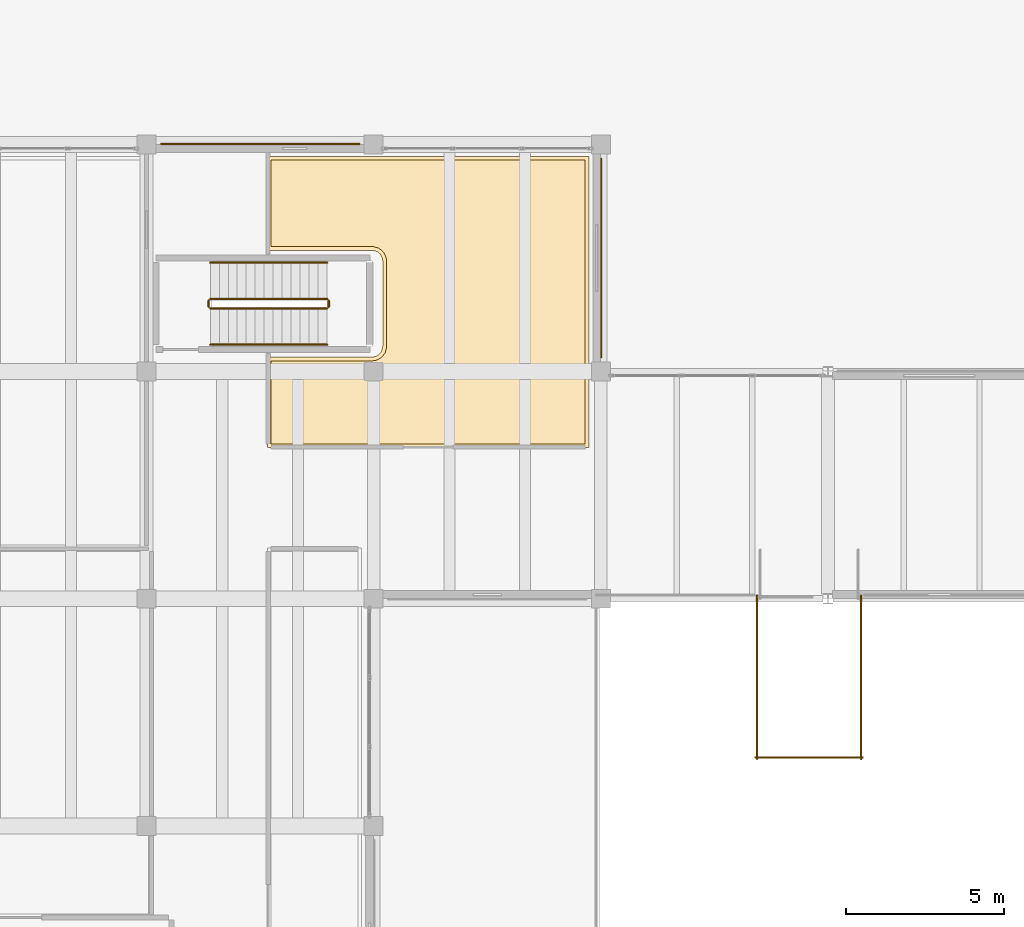
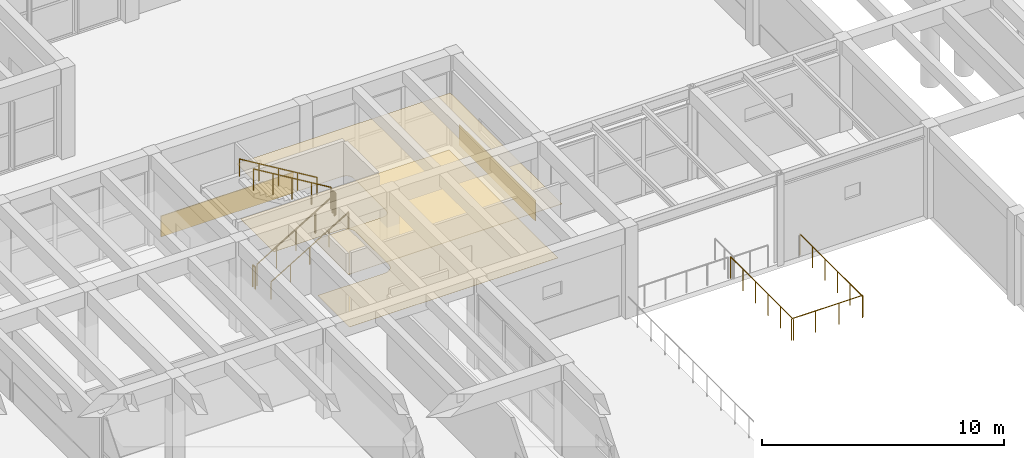
# One storey, part 134 of 155: 9 railings, 4 coverings.
"""IFC4 building model written with IfcOpenShell, lengths in metres."""

from ifc_helpers import new_model, si_unit, direction, frame, origin, origin_2d, place, context, subcontext, project, spatial, polyline, rectangle, circle, outline, extrude, material, layer, layer_set, type_object, element, save


model = new_model("IFC4")

# Units and contexts
model_context = context("Model", 3, precision=1e-05, world=origin(), true_north=direction((0.0, 1.0)))
body_context = subcontext(model_context, "Body", "Model", "MODEL_VIEW")
ifc_project = project(units=[si_unit("LENGTHUNIT", "METRE"), si_unit("AREAUNIT", "SQUARE_METRE"), si_unit("VOLUMEUNIT", "CUBIC_METRE"), si_unit("PLANEANGLEUNIT", "RADIAN"), si_unit("MASSUNIT", "GRAM", prefix="KILO")], contexts=[model_context])

# Site, building, storey
site_placement = place(None, origin())
site = spatial("IfcSite", under=ifc_project, at=site_placement, CompositionType="ELEMENT")
building_placement = place(site_placement, origin())
building = spatial("IfcBuilding", under=site, at=building_placement, Name="Bramvelor Terrace Health Centre", CompositionType="ELEMENT")
storey_placement = place(building_placement, origin())
storey = spatial("IfcBuildingStorey", under=building, at=storey_placement, Name="L01", CompositionType="ELEMENT", Elevation=0.0)

# Coverings
ifc_material_1 = material(Name="Honed volcanic tuff rainscreen stone", Category="masonry")
ifc_layer_1 = layer(ifc_material_1, 0.0400390625)
ifc_layer_set_1 = layer_set([ifc_layer_1], Name="Honed volcanic tuff rainscreen stone")
covering_type_1 = type_object("IfcCoveringType", Name="COV-CLAD-TUF", PredefinedType="CLADDING", material=ifc_layer_set_1)
covering_1_placement = place(storey_placement, frame((18.0, 64.81494140625, 0.02490234375), z_axis=(0.0, 0.0, 1.0), x_axis=(1.0, 0.0, 0.0)))
element("IfcCovering", 1, at=covering_1_placement, inside=storey, type_object=covering_type_1, Name="L01 Volcanic Tuff Rainscreen Spandrel 9", PredefinedType="CLADDING", context=body_context, shape_type="SweptSolid", body=[
    extrude(rectangle(XDim=6.31005859375, YDim=0.0400390625, at=origin_2d()), origin(), (0.0, 0.0, 1.0), 1.050048828125),
])
covering_2_placement = place(storey_placement, frame((28.81494140625, 61.199951171875, 0.02490234375), z_axis=(0.0, 0.0, 1.0), x_axis=(1.0, 0.0, 0.0)))
element("IfcCovering", 2, at=covering_2_placement, inside=storey, type_object=covering_type_1, Name="L01 Volcanic Tuff Rainscreen Spandrel 10", PredefinedType="CLADDING", context=body_context, shape_type="SweptSolid", body=[
    extrude(rectangle(XDim=0.0400390625, YDim=6.31005859375, at=origin_2d()), origin(), (0.0, 0.0, 1.0), 1.050048828125),
])
ifc_material_2 = material(Name="Hygienic mineral-fibre acoustic ceiling", Category="gypsum")
ifc_layer_2 = layer(ifc_material_2, 0.02001953125)
ifc_layer_set_2 = layer_set([ifc_layer_2], Name="Hygienic mineral-fibre acoustic ceiling")
covering_type_2 = type_object("IfcCoveringType", Name="COV-CLG-ACT", PredefinedType="CEILING", material=ifc_layer_set_2)
covering_3_placement = place(storey_placement, frame((0.0, 0.0, 2.75)))
element("IfcCovering", 3, at=covering_3_placement, inside=storey, type_object=covering_type_2, Name="L01 Outpatient Cashier and Claims Desk Acoustic Ceiling", PredefinedType="CEILING", context=body_context, shape_type="SweptSolid", body=[
    extrude(outline(polyline([(28.39990234375, 64.419921875), (28.402099609375, 64.419921875), (28.40380859375, 64.419677734375), (28.40576171875, 64.419189453125), (28.40771484375, 64.41845703125), (28.409423828125, 64.41748046875), (28.4111328125, 64.41650390625), (28.41259765625, 64.41552734375), (28.4140625, 64.4140625), (28.41552734375, 64.41259765625), (28.41650390625, 64.4111328125), (28.41748046875, 64.409423828125), (28.41845703125, 64.40771484375), (28.419189453125, 64.40576171875), (28.419677734375, 64.40380859375), (28.419921875, 64.402099609375), (28.419921875, 64.39990234375), (28.419921875, 55.2099609375), (28.419921875, 55.2080078125), (28.419677734375, 55.2060546875), (28.419189453125, 55.2041015625), (28.41845703125, 55.202392578125), (28.41748046875, 55.20068359375), (28.41650390625, 55.198974609375), (28.41552734375, 55.197265625), (28.4140625, 55.19580078125), (28.41259765625, 55.194580078125), (28.4111328125, 55.193359375), (28.409423828125, 55.1923828125), (28.40771484375, 55.19140625), (28.40576171875, 55.19091796875), (28.40380859375, 55.1904296875), (28.402099609375, 55.190185546875), (28.39990234375, 55.18994140625), (18.251953125, 55.18994140625), (18.25, 55.190185546875), (18.248046875, 55.1904296875), (18.24609375, 55.19091796875), (18.244384765625, 55.19140625), (18.24267578125, 55.1923828125), (18.240966796875, 55.193359375), (18.2392578125, 55.194580078125), (18.23779296875, 55.19580078125), (18.236572265625, 55.197265625), (18.2353515625, 55.198974609375), (18.234375, 55.20068359375), (18.2333984375, 55.202392578125), (18.23291015625, 55.2041015625), (18.232421875, 55.2060546875), (18.232177734375, 55.2080078125), (18.23193359375, 55.2099609375), (18.23193359375, 58.0400390625), (18.232177734375, 58.0419921875), (18.232421875, 58.0439453125), (18.23291015625, 58.0458984375), (18.2333984375, 58.047607421875), (18.234375, 58.04931640625), (18.2353515625, 58.051025390625), (18.236572265625, 58.052734375), (18.23779296875, 58.05419921875), (18.2392578125, 58.055419921875), (18.240966796875, 58.056640625), (18.24267578125, 58.0576171875), (18.244384765625, 58.05859375), (18.24609375, 58.05908203125), (18.248046875, 58.0595703125), (18.25, 58.059814453125), (18.251953125, 58.06005859375), (21.548583984375, 58.06005859375), (21.648193359375, 58.07470703125), (21.765380859375, 58.137451171875), (21.84912109375, 58.239501953125), (21.889892578125, 58.402587890625), (21.889892578125, 61.098388671875), (21.875244140625, 61.197998046875), (21.8125, 61.3154296875), (21.710205078125, 61.3994140625), (21.582275390625, 61.438232421875), (18.25, 61.43994140625), (18.248046875, 61.440185546875), (18.24609375, 61.4404296875), (18.244140625, 61.44091796875), (18.2421875, 61.44140625), (18.240478515625, 61.4423828125), (18.239013671875, 61.443359375), (18.2373046875, 61.444580078125), (18.23583984375, 61.44580078125), (18.234619140625, 61.447265625), (18.2333984375, 61.448974609375), (18.232421875, 61.45068359375), (18.2314453125, 61.452392578125), (18.23095703125, 61.4541015625), (18.23046875, 61.4560546875), (18.22998046875, 61.4580078125), (18.22998046875, 61.4599609375), (18.22998046875, 64.39990234375), (18.22998046875, 64.402099609375), (18.23046875, 64.40380859375), (18.23095703125, 64.40576171875), (18.2314453125, 64.40771484375), (18.232421875, 64.409423828125), (18.2333984375, 64.4111328125), (18.234619140625, 64.41259765625), (18.23583984375, 64.4140625), (18.2373046875, 64.41552734375), (18.239013671875, 64.41650390625), (18.240478515625, 64.41748046875), (18.2421875, 64.41845703125), (18.244140625, 64.419189453125), (18.24609375, 64.419677734375), (18.248046875, 64.419921875), (18.25, 64.419921875), (28.39990234375, 64.419921875)])), origin(), (0.0, 0.0, 1.0), 0.02001953125),
])
ifc_material_3 = material(Name="Seamless antimicrobial clinical vinyl", Category="polymer")
ifc_layer_3 = layer(ifc_material_3, 0.008056640625)
ifc_layer_set_3 = layer_set([ifc_layer_3], Name="Seamless antimicrobial clinical vinyl")
covering_type_3 = type_object("IfcCoveringType", Name="COV-FLR-VNL", PredefinedType="FLOORING", material=ifc_layer_set_3)
covering_4_placement = place(storey_placement, origin())
element("IfcCovering", 4, at=covering_4_placement, inside=storey, type_object=covering_type_3, Name="L01 Outpatient Cashier and Claims Desk Clinical Vinyl Flooring", PredefinedType="FLOORING", context=body_context, shape_type="SweptSolid", body=[
    extrude(outline(polyline([(28.300048828125, 64.300048828125), (28.300048828125, 55.31005859375), (18.35205078125, 55.31005859375), (18.35205078125, 57.93994140625), (21.550048828125, 57.93994140625), (21.564697265625, 57.941162109375), (21.669189453125, 57.95654296875), (21.677490234375, 57.958251953125), (21.685791015625, 57.96044921875), (21.69384765625, 57.963623046875), (21.70166015625, 57.96728515625), (21.825439453125, 58.033447265625), (21.833984375, 58.03857421875), (21.841796875, 58.04443359375), (21.84912109375, 58.051025390625), (21.855712890625, 58.058349609375), (21.94482421875, 58.1669921875), (21.9501953125, 58.173828125), (21.95458984375, 58.181396484375), (21.958740234375, 58.189208984375), (21.9619140625, 58.197509765625), (21.964599609375, 58.2060546875), (22.007080078125, 58.375732421875), (22.00927734375, 58.3876953125), (22.010009765625, 58.39990234375), (22.010009765625, 61.10009765625), (22.0087890625, 61.11474609375), (21.993408203125, 61.21923828125), (21.99169921875, 61.2275390625), (21.989501953125, 61.23583984375), (21.986328125, 61.243896484375), (21.982666015625, 61.251708984375), (21.91650390625, 61.37548828125), (21.911376953125, 61.3837890625), (21.905517578125, 61.391845703125), (21.89892578125, 61.399169921875), (21.8916015625, 61.40576171875), (21.783203125, 61.494873046875), (21.775390625, 61.50048828125), (21.766845703125, 61.505615234375), (21.758056640625, 61.510009765625), (21.748779296875, 61.51318359375), (21.6142578125, 61.553955078125), (21.604736328125, 61.556396484375), (21.59521484375, 61.557861328125), (21.585205078125, 61.558349609375), (18.35009765625, 61.559814453125), (18.35009765625, 64.300048828125), (28.300048828125, 64.300048828125)])), origin(), (0.0, 0.0, 1.0), 0.008056640625),
])

# Railings
ifc_material_4 = material(Name="Painted galvanized steel", Category="steel")
railing_type_1 = type_object("IfcRailingType", Name="RLG-GD-1100", PredefinedType="GUARDRAIL", material=ifc_material_4)
railing_1_placement = place(storey_placement, frame((16.419921875, 59.60009765625, 0.17138671875)))
element("IfcRailing", 5, at=railing_1_placement, inside=storey, type_object=railing_type_1, Name="L01 ST-6 stair guard 1", PredefinedType="GUARDRAIL", context=body_context, shape_type="SweptSolid", body=[
    extrude(circle(Radius=0.02392578125, at=origin_2d()), frame((0.0, 0.0, 1.076171875), z_axis=(0.856934400257, 0.0, 0.515425487977), x_axis=(0.0, 1.0, 0.0)), (0.0, 0.0, 1.0), 4.32373046875),
    extrude(circle(Radius=0.02099609375, at=origin_2d()), origin(), (0.0, 0.0, 1.0), 1.052001953125),
    extrude(circle(Radius=0.02099609375, at=origin_2d()), frame((0.92626953125, 0.0, 0.55712890625)), (0.0, 0.0, 1.0), 1.052001953125),
    extrude(circle(Radius=0.02099609375, at=origin_2d()), frame((1.8525390625, 0.0, 1.1142578125)), (0.0, 0.0, 1.0), 1.052001953125),
    extrude(circle(Radius=0.02099609375, at=origin_2d()), frame((2.77880859375, 0.0, 1.67138671875)), (0.0, 0.0, 1.0), 1.052001953125),
    extrude(circle(Radius=0.02099609375, at=origin_2d()), frame((3.705078125, 0.0, 2.228515625)), (0.0, 0.0, 1.0), 1.052001953125),
])
railing_2_placement = place(storey_placement, frame((20.175048828125, 59.64990234375, 2.39990234375)))
element("IfcRailing", 6, at=railing_2_placement, inside=storey, type_object=railing_type_1, Name="L01 ST-6 stair guard 2", PredefinedType="GUARDRAIL", context=body_context, shape_type="SweptSolid", body=[
    extrude(circle(Radius=0.02392578125, at=origin_2d()), frame((0.0, 0.0, 1.076171875), z_axis=(0.0, 1.0, 0.0), x_axis=(-1.0, 0.0, 0.0)), (0.0, 0.0, 1.0), 0.2001953125),
    extrude(circle(Radius=0.02099609375, at=origin_2d()), origin(), (0.0, 0.0, 1.0), 1.052001953125),
    extrude(circle(Radius=0.02099609375, at=origin_2d()), frame((0.0, 0.2001953125, 0.0)), (0.0, 0.0, 1.0), 1.052001953125),
])
railing_3_placement = place(storey_placement, frame((20.125, 59.89990234375, 2.571533203125)))
element("IfcRailing", 7, at=railing_3_placement, inside=storey, type_object=railing_type_1, Name="L01 ST-6 stair guard 3", PredefinedType="GUARDRAIL", context=body_context, shape_type="SweptSolid", body=[
    extrude(circle(Radius=0.02392578125, at=origin_2d()), frame((0.0, 0.0, 1.076171875), z_axis=(-0.856934400257, 0.0, 0.515425487977), x_axis=(0.0, -1.0, 0.0)), (0.0, 0.0, 1.0), 4.32373046875),
    extrude(circle(Radius=0.02099609375, at=origin_2d()), origin(), (0.0, 0.0, 1.0), 1.052001953125),
    extrude(circle(Radius=0.02099609375, at=origin_2d()), frame((-0.92626953125, 0.0, 0.55712890625)), (0.0, 0.0, 1.0), 1.052001953125),
    extrude(circle(Radius=0.02099609375, at=origin_2d()), frame((-1.8525390625, 0.0, 1.1142578125)), (0.0, 0.0, 1.0), 1.052001953125),
    extrude(circle(Radius=0.02099609375, at=origin_2d()), frame((-2.77880859375, 0.0, 1.67138671875)), (0.0, 0.0, 1.0), 1.052001953125),
    extrude(circle(Radius=0.02099609375, at=origin_2d()), frame((-3.705078125, 0.0, 2.228515625)), (0.0, 0.0, 1.0), 1.052001953125),
])
railing_4_placement = place(storey_placement, frame((16.3701171875, 59.64990234375, 0.0)))
element("IfcRailing", 8, at=railing_4_placement, inside=storey, type_object=railing_type_1, Name="L01 ST-6 stair guard 4", PredefinedType="GUARDRAIL", context=body_context, shape_type="SweptSolid", body=[
    extrude(circle(Radius=0.02392578125, at=origin_2d()), frame((0.0, 0.0, 1.076171875), z_axis=(0.0, 1.0, 0.0), x_axis=(-1.0, 0.0, 0.0)), (0.0, 0.0, 1.0), 0.2001953125),
    extrude(circle(Radius=0.02099609375, at=origin_2d()), origin(), (0.0, 0.0, 1.0), 1.052001953125),
    extrude(circle(Radius=0.02099609375, at=origin_2d()), frame((0.0, 0.2001953125, 0.0)), (0.0, 0.0, 1.0), 1.052001953125),
])
ifc_material_5 = material(Name="Painted galvanized steel", Category="steel")
railing_type_2 = type_object("IfcRailingType", Name="RLG-GD-EXT1100", PredefinedType="GUARDRAIL", material=ifc_material_5)
for number, where, name in (
    (9, (33.75, 50.5, 0.0), "L01 STE-1 top well guard 2"),
    (10, (37.050048828125, 50.5, 0.0), "L01 STE-1 top well guard 3"),
):
    element("IfcRailing", number, at=place(storey_placement, frame(where)), inside=storey, type_object=railing_type_2, Name=name, PredefinedType="GUARDRAIL", context=body_context, shape_type="SweptSolid", body=[
        extrude(circle(Radius=0.02392578125, at=origin_2d()), frame((0.0, 0.0, 1.076171875), z_axis=(0.0, -1.0, 0.0), x_axis=(1.0, 0.0, 0.0)), (0.0, 0.0, 1.0), 5.179931640625),
        extrude(circle(Radius=0.02099609375, at=origin_2d()), origin(), (0.0, 0.0, 1.0), 1.052001953125),
        extrude(circle(Radius=0.02099609375, at=origin_2d()), frame((0.0, -1.035888671875, 0.0)), (0.0, 0.0, 1.0), 1.052001953125),
        extrude(circle(Radius=0.02099609375, at=origin_2d()), frame((0.0, -2.072021484375, 0.0)), (0.0, 0.0, 1.0), 1.052001953125),
        extrude(circle(Radius=0.02099609375, at=origin_2d()), frame((0.0, -3.10791015625, 0.0)), (0.0, 0.0, 1.0), 1.052001953125),
        extrude(circle(Radius=0.02099609375, at=origin_2d()), frame((0.0, -4.14404296875, 0.0)), (0.0, 0.0, 1.0), 1.052001953125),
        extrude(circle(Radius=0.02099609375, at=origin_2d()), frame((0.0, -5.179931640625, 0.0)), (0.0, 0.0, 1.0), 1.052001953125),
    ])
railing_5_placement = place(storey_placement, frame((33.699951171875, 45.3701171875, 0.0)))
element("IfcRailing", 11, at=railing_5_placement, inside=storey, type_object=railing_type_2, Name="L01 STE-1 top well guard 4", PredefinedType="GUARDRAIL", context=body_context, shape_type="SweptSolid", body=[
    extrude(circle(Radius=0.02392578125, at=origin_2d()), frame((0.0, 0.0, 1.076171875), z_axis=(1.0, 0.0, 0.0), x_axis=(0.0, 1.0, 0.0)), (0.0, 0.0, 1.0), 3.400146484375),
    extrude(circle(Radius=0.02099609375, at=origin_2d()), origin(), (0.0, 0.0, 1.0), 1.052001953125),
    extrude(circle(Radius=0.02099609375, at=origin_2d()), frame((1.13330078125, 0.0, 0.0)), (0.0, 0.0, 1.0), 1.052001953125),
    extrude(circle(Radius=0.02099609375, at=origin_2d()), frame((2.266845703125, 0.0, 0.0)), (0.0, 0.0, 1.0), 1.052001953125),
    extrude(circle(Radius=0.02099609375, at=origin_2d()), frame((3.400146484375, 0.0, 0.0)), (0.0, 0.0, 1.0), 1.052001953125),
])
ifc_material_6 = material(Name="Brushed stainless steel 316", Category="steel")
railing_type_3 = type_object("IfcRailingType", Name="RLG-HR-900", PredefinedType="HANDRAIL", material=ifc_material_6)
railing_6_placement = place(storey_placement, frame((16.419921875, 58.449951171875, 0.17138671875)))
element("IfcRailing", 12, at=railing_6_placement, inside=storey, type_object=railing_type_3, Name="L01 ST-6 stair handrail 1", PredefinedType="HANDRAIL", context=body_context, shape_type="SweptSolid", body=[
    extrude(circle(Radius=0.02392578125, at=origin_2d()), frame((0.0, 0.0, 0.8759765625), z_axis=(0.856934400257, 0.0, 0.515425487977), x_axis=(0.0, 1.0, 0.0)), (0.0, 0.0, 1.0), 4.32373046875),
    extrude(circle(Radius=0.02099609375, at=origin_2d()), origin(), (0.0, 0.0, 1.0), 0.851806640625),
    extrude(circle(Radius=0.02099609375, at=origin_2d()), frame((0.92626953125, 0.0, 0.55712890625)), (0.0, 0.0, 1.0), 0.851806640625),
    extrude(circle(Radius=0.02099609375, at=origin_2d()), frame((1.8525390625, 0.0, 1.1142578125)), (0.0, 0.0, 1.0), 0.851806640625),
    extrude(circle(Radius=0.02099609375, at=origin_2d()), frame((2.77880859375, 0.0, 1.67138671875)), (0.0, 0.0, 1.0), 0.851806640625),
    extrude(circle(Radius=0.02099609375, at=origin_2d()), frame((3.705078125, 0.0, 2.228515625)), (0.0, 0.0, 1.0), 0.851806640625),
])
railing_7_placement = place(storey_placement, frame((20.125, 61.050048828125, 2.571533203125)))
element("IfcRailing", 13, at=railing_7_placement, inside=storey, type_object=railing_type_3, Name="L01 ST-6 stair handrail 2", PredefinedType="HANDRAIL", context=body_context, shape_type="SweptSolid", body=[
    extrude(circle(Radius=0.02392578125, at=origin_2d()), frame((0.0, 0.0, 0.8759765625), z_axis=(-0.856934400257, 0.0, 0.515425487977), x_axis=(0.0, -1.0, 0.0)), (0.0, 0.0, 1.0), 4.32373046875),
    extrude(circle(Radius=0.02099609375, at=origin_2d()), origin(), (0.0, 0.0, 1.0), 0.851806640625),
    extrude(circle(Radius=0.02099609375, at=origin_2d()), frame((-0.92626953125, 0.0, 0.55712890625)), (0.0, 0.0, 1.0), 0.851806640625),
    extrude(circle(Radius=0.02099609375, at=origin_2d()), frame((-1.8525390625, 0.0, 1.1142578125)), (0.0, 0.0, 1.0), 0.851806640625),
    extrude(circle(Radius=0.02099609375, at=origin_2d()), frame((-2.77880859375, 0.0, 1.67138671875)), (0.0, 0.0, 1.0), 0.851806640625),
    extrude(circle(Radius=0.02099609375, at=origin_2d()), frame((-3.705078125, 0.0, 2.228515625)), (0.0, 0.0, 1.0), 0.851806640625),
])

save(model, "model.ifc")
